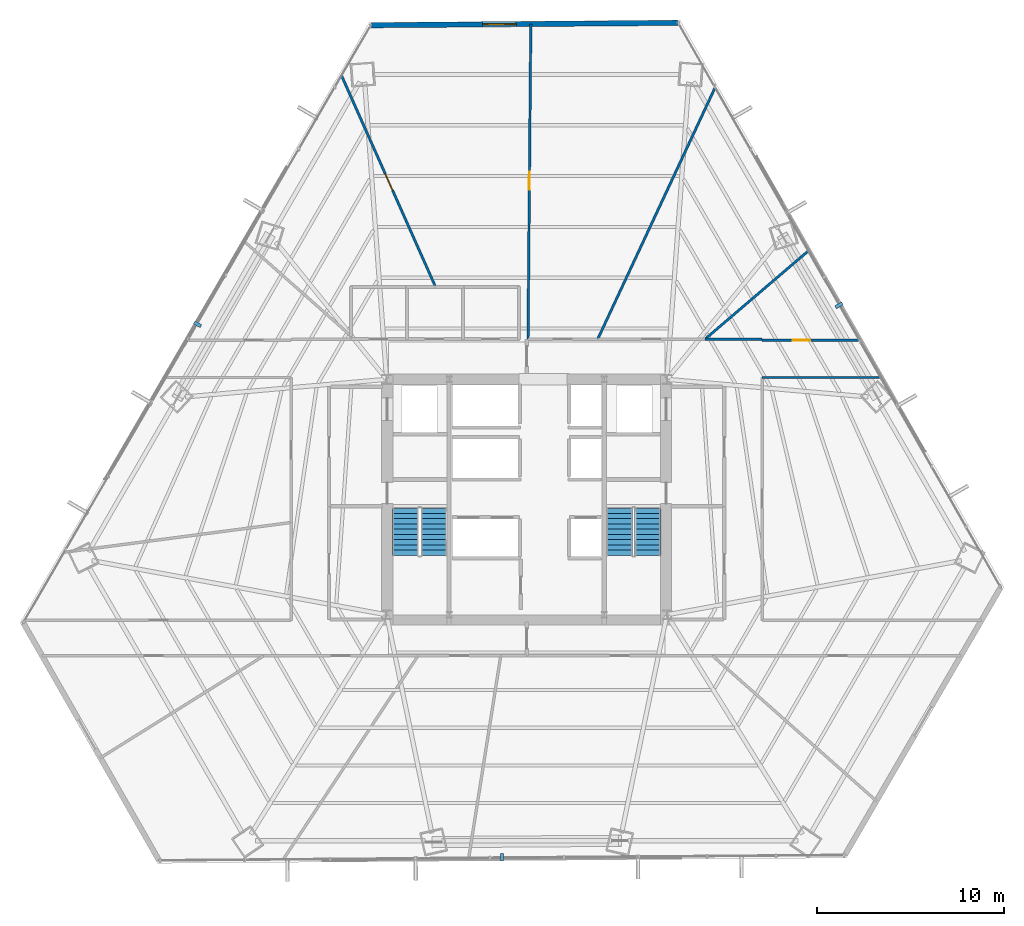
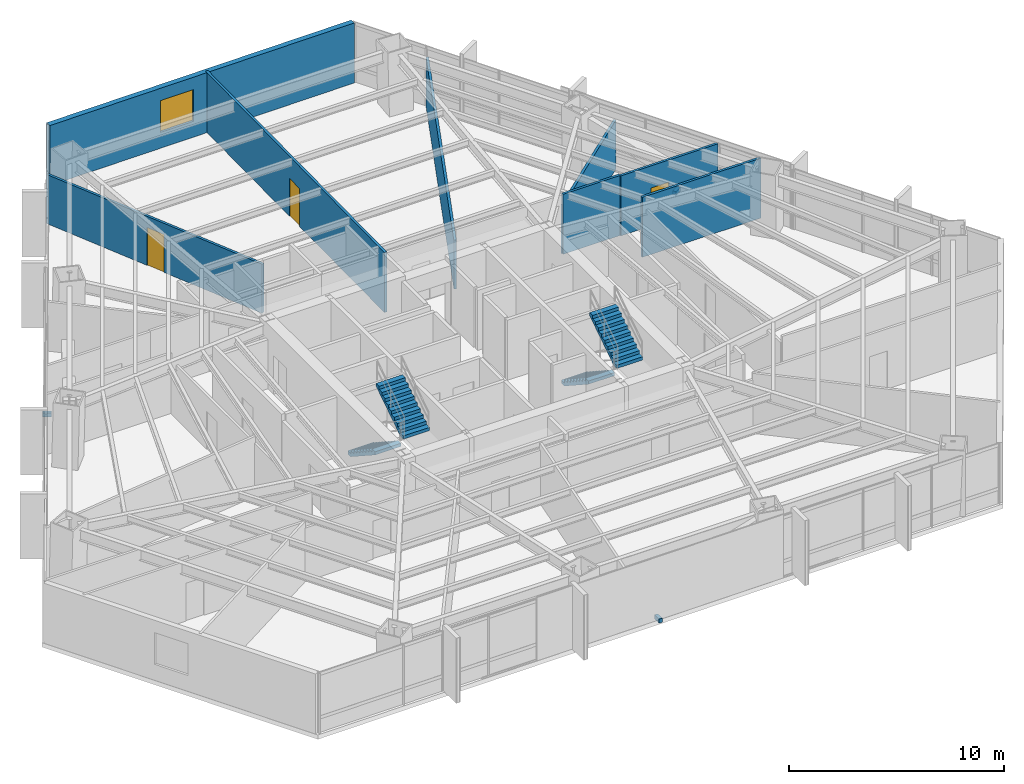
# One storey, part 31 of 34: 8 walls, 4 stair flights, 3 discrete accessories, 3 doors, 1 window, 4 openings, 2 elements without a shape of their own.
"""IFC4 building model written with IfcOpenShell, lengths in metres."""

from ifc_helpers import new_model, si_unit, direction, frame, frame_2d, origin, origin_2d, place, context, subcontext, project, spatial, polyline, rectangle, outline, extrude, source, transform, mapped, material, layer, layer_set, type_object, type_shapes, element, fill, aggregate, save


model = new_model("IFC4")

# Units and contexts
model_context = context("Model", 3, precision=1e-05, world=origin(), true_north=direction((0.0, 1.0)))
body_context = subcontext(model_context, "Body", "Model", "MODEL_VIEW")
ifc_project = project(units=[si_unit("LENGTHUNIT", "METRE"), si_unit("AREAUNIT", "SQUARE_METRE"), si_unit("VOLUMEUNIT", "CUBIC_METRE"), si_unit("PLANEANGLEUNIT", "RADIAN"), si_unit("MASSUNIT", "GRAM", prefix="KILO")], contexts=[model_context])

# Site, building, storey
site_placement = place(None, origin())
site = spatial("IfcSite", under=ifc_project, at=site_placement, CompositionType="ELEMENT")
building_placement = place(site_placement, origin())
building = spatial("IfcBuilding", under=site, at=building_placement, Name="Caelisora Broadcast Tower", CompositionType="ELEMENT")
storey_placement = place(building_placement, frame((0.0, 0.0, 49.5)))
storey = spatial("IfcBuildingStorey", under=building, at=storey_placement, Name="L12", CompositionType="ELEMENT", Elevation=49.5)

# Wall, opening, window
ifc_material_1 = material(Name="Insulated Terracotta Spandrel Wall System", Category="masonry")
ifc_layer_1 = layer(ifc_material_1, 0.280029296875, Name="Insulated Terracotta Spandrel Wall System")
ifc_layer_set_1 = layer_set([ifc_layer_1], Name="Insulated Terracotta Spandrel Wall System")
wall_type_1 = type_object("IfcWallType", Name="EW1", PredefinedType="STANDARD", material=ifc_layer_set_1)
wall_1_placement = place(storey_placement, frame((29.69091796875, 48.9501953125, 0.0), z_axis=(0.0, 0.0, 1.0), x_axis=(0.999969194067, 0.007849262195, 0.0)))
wall_1 = element("IfcWall", 1, at=wall_1_placement, inside=storey, type_object=wall_type_1, Name="L12 exterior envelope wall EW1", PredefinedType="STANDARD", context=body_context, shape_type="SweptSolid", body=[
    extrude(rectangle(XDim=16.3916015625, YDim=0.280029296875, at=frame_2d((8.19580078125, 0.0))), origin(), (0.0, 0.0, 1.0), 3.39990234375),
])
opening_1_placement = place(wall_1_placement, frame((5.949951171875, 0.0, 0.89990234375)))
opening_1 = element("IfcOpeningElement", 2, at=opening_1_placement, cuts=wall_1, Name="Opening W01", PredefinedType="OPENING", context=body_context, shape_type="SweptSolid", body=[
    extrude(rectangle(XDim=1.800048828125, YDim=1.800048828125, at=frame_2d((0.89990234375, 0.89990234375))), frame((0.0, 0.152099609375, 0.0), z_axis=(0.0, -1.0, 0.0), x_axis=(1.0, 0.0, 0.0)), (0.0, 0.0, 1.0), 0.303955078125),
])
ifc_material_2 = material(Name="Double Glazed Terracotta-Framed Vision Window", Category="glass")
window_type = type_object("IfcWindowType", Name="W01", PartitioningType="SINGLE_PANEL", PredefinedType="WINDOW", material=ifc_material_2)
window_placement = place(opening_1_placement, origin())
window = element("IfcWindow", 3, at=window_placement, inside=storey, type_object=window_type, Name="L12 window W01 (L12-WN-CH8)", OverallHeight=1.800048828125, OverallWidth=1.800048828125, PartitioningType="SINGLE_PANEL", PredefinedType="WINDOW", context=body_context, shape_type="SweptSolid", body=[
    extrude(rectangle(XDim=1.800048828125, YDim=1.800048828125, at=frame_2d((0.89990234375, 0.89990234375))), frame((0.0, 0.030029296875, 0.0), z_axis=(0.0, -1.0, 0.0), x_axis=(1.0, 0.0, 0.0)), (0.0, 0.0, 1.0), 0.06005859375),
])
fill(opening_1, window)

# Wall, opening, door
ifc_material_3 = material(Name="Acoustic Steel-Stud Plasterboard Partition", Category="gypsum")
ifc_layer_2 = layer(ifc_material_3, 0.1298828125, Name="Acoustic Steel-Stud Plasterboard Partition")
ifc_layer_set_2 = layer_set([ifc_layer_2], Name="Acoustic Steel-Stud Plasterboard Partition")
wall_type_2 = type_object("IfcWallType", Name="PW3", PredefinedType="PARTITIONING", material=ifc_layer_set_2)
wall_2_placement = place(storey_placement, frame((38.070068359375, 32.155029296875, 0.0), z_axis=(0.0, 0.0, 1.0), x_axis=(0.008828974996, 0.999961023841, 0.0)))
wall_2 = element("IfcWall", 4, at=wall_2_placement, inside=storey, type_object=wall_type_2, Name="L12 internal partition PW3", PredefinedType="PARTITIONING", context=body_context, shape_type="SweptSolid", body=[
    extrude(rectangle(XDim=16.867919921875, YDim=0.1298828125, at=frame_2d((8.43408203125, 0.0))), origin(), (0.0, 0.0, 1.0), 3.39990234375),
])
opening_2_placement = place(wall_2_placement, frame((8.0029296875, 0.0, 0.0)))
opening_2 = element("IfcOpeningElement", 5, at=opening_2_placement, cuts=wall_2, Name="Opening D01", PredefinedType="OPENING", context=body_context, shape_type="SweptSolid", body=[
    extrude(rectangle(XDim=0.9599609375, YDim=2.14990234375, at=frame_2d((0.47998046875, 1.074951171875))), frame((0.0, 0.076904296875, 0.0), z_axis=(0.0, -1.0, 0.0), x_axis=(1.0, 0.0, 0.0)), (0.0, 0.0, 1.0), 0.15380859375),
])
ifc_material_4 = material(Name="Solid-Core Timber Acoustic Office Door", Category="wood")
door_type = type_object("IfcDoorType", Name="D01", OperationType="NOTDEFINED", PredefinedType="DOOR", material=ifc_material_4)
door_1_placement = place(opening_2_placement, origin())
door_1 = element("IfcDoor", 6, at=door_1_placement, inside=storey, type_object=door_type, Name="L12 door D01 (L12-DR-P27D1)", OperationType="SINGLE_SWING_LEFT", OverallHeight=2.14990234375, OverallWidth=0.9599609375, PredefinedType="DOOR", context=body_context, shape_type="SweptSolid", body=[
    extrude(rectangle(XDim=0.9599609375, YDim=2.14990234375, at=frame_2d((0.47998046875, 1.074951171875))), frame((0.0, 0.02490234375, 0.0), z_axis=(0.0, -1.0, 0.0), x_axis=(1.0, 0.0, 0.0)), (0.0, 0.0, 1.0), 0.050048828125),
])
fill(opening_2, door_1)

# Wall
wall_3_placement = place(storey_placement, frame((41.802001953125, 32.155029296875, 0.0), z_axis=(0.0, 0.0, 1.0), x_axis=(0.422794678156, 0.906225501805, 0.0)))
element("IfcWall", 7, at=wall_3_placement, inside=storey, type_object=wall_type_2, Name="L12 internal partition PW3", PredefinedType="PARTITIONING", context=body_context, shape_type="SweptSolid", body=[
    extrude(rectangle(XDim=14.869140625, YDim=0.1298828125, at=frame_2d((7.4345703125, 0.0))), origin(), (0.0, 0.0, 1.0), 2.78271484375),
])

# Wall, opening, door
wall_4_placement = place(storey_placement, frame((28.08935546875, 46.2587890625, 0.0), z_axis=(0.0, 0.0, 1.0), x_axis=(0.406455198195, -0.913670713036, 0.0)))
wall_4 = element("IfcWall", 8, at=wall_4_placement, inside=storey, type_object=wall_type_2, Name="L12 internal partition PW3", PredefinedType="PARTITIONING", context=body_context, shape_type="SweptSolid", body=[
    extrude(rectangle(XDim=12.371826171875, YDim=0.1298828125, at=frame_2d((6.18603515625, 0.0))), origin(), (0.0, 0.0, 1.0), 2.78271484375),
])
opening_3_placement = place(wall_4_placement, frame((5.76708984375, 0.0, 0.0)))
opening_3 = element("IfcOpeningElement", 9, at=opening_3_placement, cuts=wall_4, Name="Opening D01", PredefinedType="OPENING", context=body_context, shape_type="SweptSolid", body=[
    extrude(rectangle(XDim=0.9599609375, YDim=2.14990234375, at=frame_2d((0.47998046875, 1.074951171875))), frame((0.0, 0.076904296875, 0.0), z_axis=(0.0, -1.0, 0.0), x_axis=(1.0, 0.0, 0.0)), (0.0, 0.0, 1.0), 0.15380859375),
])
door_2_placement = place(opening_3_placement, origin())
door_2 = element("IfcDoor", 10, at=door_2_placement, inside=storey, type_object=door_type, Name="L12 door D01 (L12-DR-P33D1)", OperationType="SINGLE_SWING_LEFT", OverallHeight=2.14990234375, OverallWidth=0.9599609375, PredefinedType="DOOR", context=body_context, shape_type="SweptSolid", body=[
    extrude(rectangle(XDim=0.9599609375, YDim=2.14990234375, at=frame_2d((0.47998046875, 1.074951171875))), frame((0.0, 0.02490234375, 0.0), z_axis=(0.0, -1.0, 0.0), x_axis=(1.0, 0.0, 0.0)), (0.0, 0.0, 1.0), 0.050048828125),
])
fill(opening_3, door_2)

# Walls
wall_5_placement = place(storey_placement, frame((47.5439453125, 32.153076171875, 0.0), z_axis=(0.0, 0.0, 1.0), x_axis=(0.760383675672, 0.649474145576, 0.0)))
element("IfcWall", 11, at=wall_5_placement, inside=storey, type_object=wall_type_2, Name="L12 internal partition PW3", PredefinedType="PARTITIONING", context=body_context, shape_type="SweptSolid", body=[
    extrude(rectangle(XDim=7.2861328125, YDim=0.1298828125, at=frame_2d((3.64306640625, 0.0))), origin(), (0.0, 0.0, 1.0), 2.78271484375),
])
wall_6_placement = place(storey_placement, frame((50.60498046875, 30.10009765625, 0.0), z_axis=(0.0, 0.0, 1.0), x_axis=(1.0, 0.0, 0.0)))
element("IfcWall", 12, at=wall_6_placement, inside=storey, type_object=wall_type_2, Name="L12 internal partition PW3", PredefinedType="PARTITIONING", context=body_context, shape_type="SweptSolid", body=[
    extrude(rectangle(XDim=6.355712890625, YDim=0.1298828125, at=frame_2d((3.177734375, 0.0))), origin(), (0.0, 0.0, 1.0), 3.39990234375),
])

# Wall, opening, door
wall_7_placement = place(storey_placement, frame((50.60498046875, 32.10009765625, 0.0), z_axis=(0.0, 0.0, 1.0), x_axis=(1.0, 0.0, 0.0)))
wall_7 = element("IfcWall", 13, at=wall_7_placement, inside=storey, type_object=wall_type_2, Name="L12 internal partition PW3", PredefinedType="PARTITIONING", context=body_context, shape_type="SweptSolid", body=[
    extrude(rectangle(XDim=5.213134765625, YDim=0.1298828125, at=frame_2d((2.6064453125, 0.0))), origin(), (0.0, 0.0, 1.0), 3.39990234375),
])
opening_4_placement = place(wall_7_placement, frame((1.6201171875, 0.0, 0.0)))
opening_4 = element("IfcOpeningElement", 14, at=opening_4_placement, cuts=wall_7, Name="Opening D01", PredefinedType="OPENING", context=body_context, shape_type="SweptSolid", body=[
    extrude(rectangle(XDim=0.9599609375, YDim=2.14990234375, at=frame_2d((0.47998046875, 1.074951171875))), frame((0.0, 0.076904296875, 0.0), z_axis=(0.0, -1.0, 0.0), x_axis=(1.0, 0.0, 0.0)), (0.0, 0.0, 1.0), 0.15380859375),
])
door_3_placement = place(opening_4_placement, origin())
door_3 = element("IfcDoor", 15, at=door_3_placement, inside=storey, type_object=door_type, Name="L12 door D01 (L12-DR-P49D1)", OperationType="SINGLE_SWING_RIGHT", OverallHeight=2.14990234375, OverallWidth=0.9599609375, PredefinedType="DOOR", context=body_context, shape_type="SweptSolid", body=[
    extrude(rectangle(XDim=0.9599609375, YDim=2.14990234375, at=frame_2d((0.47998046875, 1.074951171875))), frame((0.0, 0.02490234375, 0.0), z_axis=(0.0, -1.0, 0.0), x_axis=(1.0, 0.0, 0.0)), (0.0, 0.0, 1.0), 0.050048828125),
])
fill(opening_4, door_3)

# Wall
wall_8_placement = place(storey_placement, frame((47.544921875, 32.14990234375, 0.0), z_axis=(0.0, 0.0, 1.0), x_axis=(1.0, 0.0, 0.0)))
element("IfcWall", 16, at=wall_8_placement, inside=storey, type_object=wall_type_2, Name="L12 internal partition PW3", PredefinedType="PARTITIONING", context=body_context, shape_type="SweptSolid", body=[
    extrude(rectangle(XDim=3.050048828125, YDim=0.1298828125, at=frame_2d((1.52490234375, 0.0))), origin(), (0.0, 0.0, 1.0), 3.39990234375),
])

# Stair, stair flights
ifc_material_5 = material(Name="Concrete 40 MPa (AS 3600 N40)", Category="concrete")
stair_type_1 = type_object("IfcStairType", Name="ST-1", PredefinedType="HALF_TURN_STAIR", material=ifc_material_5)
stair_1_placement = place(storey_placement, origin())
stair_1 = element("IfcStair", 17, at=stair_1_placement, inside=storey, type_object=stair_type_1, Name="L12 West Fire-Isolated Tower Stair", PredefinedType="HALF_TURN_STAIR")
stair_flight_type = type_object("IfcStairFlightType", Name="STF-2", PredefinedType="STRAIGHT", material=ifc_material_5)
stair_flight_1_placement = place(storey_placement, frame((31.52001953125, 23.10009765625, 0.0), z_axis=(0.0, 0.0, 1.0), x_axis=(0.0, -1.0, 0.0)))
stair_flight_1 = element("IfcStairFlight", 18, at=stair_flight_1_placement, type_object=stair_flight_type, Name="ST-1 flight 1", NumberOfRisers=10, NumberOfTreads=9, PredefinedType="STRAIGHT", RiserHeight=0.1825, TreadLength=0.28, context=body_context, shape_type="SweptSolid", body=[
    extrude(outline(polyline([(0.0, 0.0), (0.0, 0.1826171875), (0.280029296875, 0.1826171875), (0.280029296875, 0.364990234375), (0.56005859375, 0.364990234375), (0.56005859375, 0.547607421875), (0.840087890625, 0.547607421875), (0.840087890625, 0.72998046875), (1.1201171875, 0.72998046875), (1.1201171875, 0.91259765625), (1.39990234375, 0.91259765625), (1.39990234375, 1.094970703125), (1.679931640625, 1.094970703125), (1.679931640625, 1.277587890625), (1.9599609375, 1.277587890625), (1.9599609375, 1.4599609375), (2.239990234375, 1.4599609375), (2.239990234375, 1.642578125), (2.52001953125, 1.642578125), (2.52001953125, 1.824951171875), (2.52001953125, 1.463623046875), (0.2744140625, 0.0), (0.0, 0.0)])), frame((0.0, 0.699951171875, 0.0), z_axis=(0.0, -1.0, 0.0), x_axis=(1.0, 0.0, 0.0)), (0.0, 0.0, 1.0), 1.39990234375),
])
stair_flight_2_placement = place(storey_placement, frame((33.0400390625, 20.580078125, 1.824951171875), z_axis=(0.0, 0.0, 1.0), x_axis=(0.0, 1.0, 0.0)))
stair_flight_2 = element("IfcStairFlight", 19, at=stair_flight_2_placement, type_object=stair_flight_type, Name="ST-1 flight 2", NumberOfRisers=10, NumberOfTreads=9, PredefinedType="STRAIGHT", RiserHeight=0.1825, TreadLength=0.28, context=body_context, shape_type="SweptSolid", body=[
    extrude(outline(polyline([(0.0, 0.0), (0.0, 0.1826171875), (0.280029296875, 0.1826171875), (0.280029296875, 0.364990234375), (0.56005859375, 0.364990234375), (0.56005859375, 0.547607421875), (0.840087890625, 0.547607421875), (0.840087890625, 0.72998046875), (1.1201171875, 0.72998046875), (1.1201171875, 0.91259765625), (1.39990234375, 0.91259765625), (1.39990234375, 1.094970703125), (1.679931640625, 1.094970703125), (1.679931640625, 1.277587890625), (1.9599609375, 1.277587890625), (1.9599609375, 1.4599609375), (2.239990234375, 1.4599609375), (2.239990234375, 1.642578125), (2.52001953125, 1.642578125), (2.52001953125, 1.824951171875), (2.52001953125, 1.463623046875), (0.2744140625, 0.0), (0.0, 0.0)])), frame((0.0, 0.699951171875, 0.0), z_axis=(0.0, -1.0, 0.0), x_axis=(1.0, 0.0, 0.0)), (0.0, 0.0, 1.0), 1.39990234375),
])
aggregate(stair_1, [stair_flight_1, stair_flight_2])

stair_type_2 = type_object("IfcStairType", Name="ST-2", PredefinedType="HALF_TURN_STAIR", material=ifc_material_5)
stair_2_placement = place(storey_placement, origin())
stair_2 = element("IfcStair", 20, at=stair_2_placement, inside=storey, type_object=stair_type_2, Name="L12 East Fire-Isolated Tower Stair", PredefinedType="HALF_TURN_STAIR")
stair_flight_3_placement = place(storey_placement, frame((42.9599609375, 23.10009765625, 0.0), z_axis=(0.0, 0.0, 1.0), x_axis=(0.0, -1.0, 0.0)))
stair_flight_3 = element("IfcStairFlight", 21, at=stair_flight_3_placement, type_object=stair_flight_type, Name="ST-2 flight 1", NumberOfRisers=10, NumberOfTreads=9, PredefinedType="STRAIGHT", RiserHeight=0.1825, TreadLength=0.28, context=body_context, shape_type="SweptSolid", body=[
    extrude(outline(polyline([(0.0, 0.0), (0.0, 0.1826171875), (0.280029296875, 0.1826171875), (0.280029296875, 0.364990234375), (0.56005859375, 0.364990234375), (0.56005859375, 0.547607421875), (0.840087890625, 0.547607421875), (0.840087890625, 0.72998046875), (1.1201171875, 0.72998046875), (1.1201171875, 0.91259765625), (1.39990234375, 0.91259765625), (1.39990234375, 1.094970703125), (1.679931640625, 1.094970703125), (1.679931640625, 1.277587890625), (1.9599609375, 1.277587890625), (1.9599609375, 1.4599609375), (2.239990234375, 1.4599609375), (2.239990234375, 1.642578125), (2.52001953125, 1.642578125), (2.52001953125, 1.824951171875), (2.52001953125, 1.463623046875), (0.2744140625, 0.0), (0.0, 0.0)])), frame((0.0, 0.699951171875, 0.0), z_axis=(0.0, -1.0, 0.0), x_axis=(1.0, 0.0, 0.0)), (0.0, 0.0, 1.0), 1.39990234375),
])
stair_flight_4_placement = place(storey_placement, frame((44.47998046875, 20.580078125, 1.824951171875), z_axis=(0.0, 0.0, 1.0), x_axis=(0.0, 1.0, 0.0)))
stair_flight_4 = element("IfcStairFlight", 22, at=stair_flight_4_placement, type_object=stair_flight_type, Name="ST-2 flight 2", NumberOfRisers=10, NumberOfTreads=9, PredefinedType="STRAIGHT", RiserHeight=0.1825, TreadLength=0.28, context=body_context, shape_type="SweptSolid", body=[
    extrude(outline(polyline([(0.0, 0.0), (0.0, 0.1826171875), (0.280029296875, 0.1826171875), (0.280029296875, 0.364990234375), (0.56005859375, 0.364990234375), (0.56005859375, 0.547607421875), (0.840087890625, 0.547607421875), (0.840087890625, 0.72998046875), (1.1201171875, 0.72998046875), (1.1201171875, 0.91259765625), (1.39990234375, 0.91259765625), (1.39990234375, 1.094970703125), (1.679931640625, 1.094970703125), (1.679931640625, 1.277587890625), (1.9599609375, 1.277587890625), (1.9599609375, 1.4599609375), (2.239990234375, 1.4599609375), (2.239990234375, 1.642578125), (2.52001953125, 1.642578125), (2.52001953125, 1.824951171875), (2.52001953125, 1.463623046875), (0.2744140625, 0.0), (0.0, 0.0)])), frame((0.0, 0.699951171875, 0.0), z_axis=(0.0, -1.0, 0.0), x_axis=(1.0, 0.0, 0.0)), (0.0, 0.0, 1.0), 1.39990234375),
])
aggregate(stair_2, [stair_flight_3, stair_flight_4])

# Discrete accessories
ifc_material_6 = material(Name="Steel Grade 350 (AS/NZS 3679.1)", Category="steel")
discrete_accessory_type = type_object("IfcDiscreteAccessoryType", Name="BRK-1", PredefinedType="BRACKET", material=ifc_material_6)
shared_shape = source(origin(), body_context, "Body", "SweptSolid", [
    extrude(rectangle(XDim=0.179931640625, YDim=0.419921875, at=origin_2d()), origin(), (0.0, 0.0, 1.0), 0.219970703125),
])
type_shapes(discrete_accessory_type, [shared_shape])
for number, where, z_axis, x_axis, name in (
    (23, (20.384521484375, 32.946044921875, -0.16015625), (0.0, 0.0, 1.0), (-0.50286909456, -0.864362582332, 0.0), "L12 solar screen outrigger bracket #1"),
    (24, (36.676513671875, 4.423583984375, -0.16015625), (0.0, 0.0, 1.0), (0.999969157645, 0.007853900889, 0.0), "L12 solar screen outrigger bracket #2"),
    (25, (54.714111328125, 33.961669921875, -0.16015625), (0.0, 0.0, 1.0), (-0.496064966839, 0.868285407383, 0.0), "L12 solar screen outrigger bracket #3"),
):
    element("IfcDiscreteAccessory", number, at=place(storey_placement, frame(where, z_axis=z_axis, x_axis=x_axis)), inside=storey, type_object=discrete_accessory_type, Name=name, PredefinedType="BRACKET", context=body_context, shape_type="MappedRepresentation", body=[
        mapped(shared_shape, transform((0.0, 0.0, 0.0), scale=1.0)),
    ])

save(model, "model.ifc")
